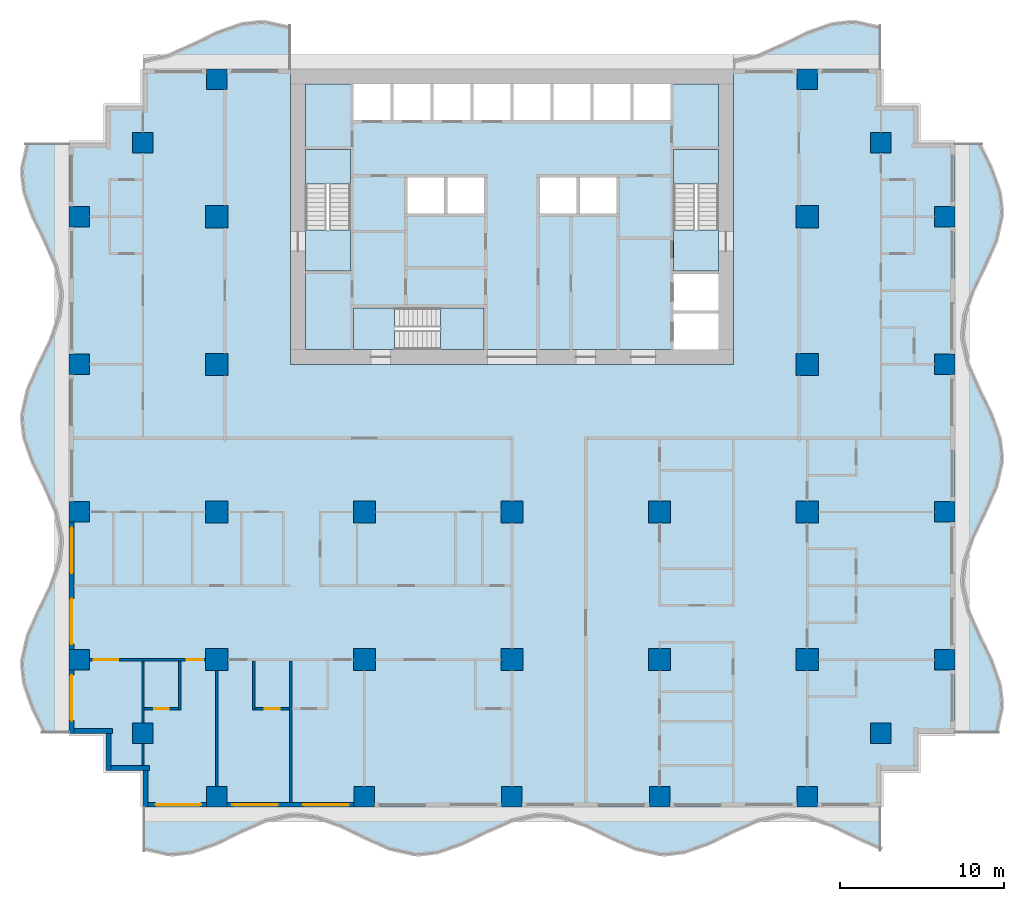
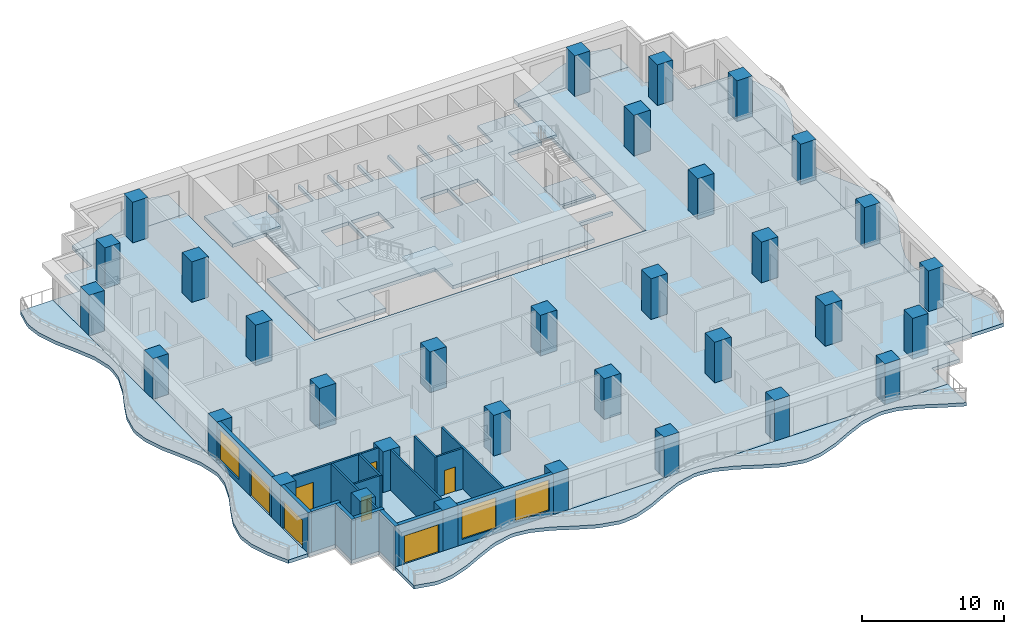
# One storey, part 1 of 14: 33 columns, 17 walls, 13 slabs, 7 doors, 3 windows, 10 openings, 3 elements without a shape of their own.
"""IFC4 building model written with IfcOpenShell, lengths in metres."""

from ifc_helpers import new_model, si_unit, direction, frame, frame_2d, origin, origin_2d, place, context, subcontext, project, spatial, polyline, rectangle, outline, extrude, material, layer, layer_set, material_profile, profile_set, type_object, element, fill, aggregate, save


model = new_model("IFC4")

# Units and contexts
model_context = context("Model", 3, precision=1e-05, world=origin(), true_north=direction((0.0, 1.0)))
body_context = subcontext(model_context, "Body", "Model", "MODEL_VIEW")
ifc_project = project(units=[si_unit("LENGTHUNIT", "METRE"), si_unit("AREAUNIT", "SQUARE_METRE"), si_unit("VOLUMEUNIT", "CUBIC_METRE"), si_unit("PLANEANGLEUNIT", "RADIAN"), si_unit("MASSUNIT", "GRAM", prefix="KILO")], contexts=[model_context])

# Site, building, storey
site_placement = place(None, origin())
site = spatial("IfcSite", under=ifc_project, at=site_placement, CompositionType="ELEMENT")
building_placement = place(site_placement, origin())
building = spatial("IfcBuilding", under=site, at=building_placement, Name="Orbiselva Terraces", CompositionType="ELEMENT")
storey_placement = place(building_placement, frame((0.0, 0.0, 111.2)))
storey = spatial("IfcBuildingStorey", under=building, at=storey_placement, Name="L28", CompositionType="ELEMENT", Elevation=111.2)

# Columns
ifc_material_1 = material(Name="Concrete C70/85", Category="concrete")
ifc_material_profile_1 = material_profile(ifc_material_1, rectangle(XDim=1.35, YDim=1.35, at=origin_2d()), Name="RC 1350x1350")
ifc_profile_set_1 = profile_set([ifc_material_profile_1], Name="Concrete C70/85")
column_type_1 = type_object("IfcColumnType", Name="COLUMN RC 1350x1350", PredefinedType="COLUMN", material=ifc_profile_set_1)
for number, where, z_axis, x_axis, name in (
    (1, (-18.0, -13.5, 0.0), (0.0, 0.0, 1.0), (1.0, 0.0, 0.0), "Column L28-01"),
    (2, (-18.0, -4.5, 0.0), (0.0, 0.0, 1.0), (1.0, 0.0, 0.0), "Column L28-03"),
    (3, (-18.0, 13.5, 0.0), (0.0, 0.0, 1.0), (1.0, 0.0, 0.0), "Column L28-04"),
    (4, (-18.0, 4.5, 0.0), (0.0, 0.0, 1.0), (1.0, 0.0, 0.0), "Column L28-06"),
    (5, (-9.0, -13.5, 0.0), (0.0, 0.0, 1.0), (1.0, 0.0, 0.0), "Column L28-13"),
    (6, (-9.0, -4.5, 0.0), (0.0, 0.0, 1.0), (1.0, 0.0, 0.0), "Column L28-15"),
    (7, (0.0, -13.5, 0.0), (0.0, 0.0, 1.0), (1.0, 0.0, 0.0), "Column L28-16"),
    (8, (0.0, -4.5, 0.0), (0.0, 0.0, 1.0), (1.0, 0.0, 0.0), "Column L28-18"),
    (9, (18.0, -13.5, 0.0), (0.0, 0.0, 1.0), (1.0, 0.0, 0.0), "Column L28-19"),
    (10, (18.0, -4.5, 0.0), (0.0, 0.0, 1.0), (1.0, 0.0, 0.0), "Column L28-21"),
    (11, (18.0, 13.5, 0.0), (0.0, 0.0, 1.0), (1.0, 0.0, 0.0), "Column L28-22"),
    (12, (18.0, 4.5, 0.0), (0.0, 0.0, 1.0), (1.0, 0.0, 0.0), "Column L28-24"),
    (13, (9.0, -13.5, 0.0), (0.0, 0.0, 1.0), (1.0, 0.0, 0.0), "Column L28-31"),
    (14, (9.0, -4.5, 0.0), (0.0, 0.0, 1.0), (1.0, 0.0, 0.0), "Column L28-33"),
):
    element("IfcColumn", number, at=place(storey_placement, frame(where, z_axis=z_axis, x_axis=x_axis)), inside=storey, type_object=column_type_1, Name=name, PredefinedType="COLUMN", context=body_context, shape_type="SweptSolid", body=[
        extrude(rectangle(XDim=1.35, YDim=1.35, at=origin_2d()), origin(), (0.0, 0.0, 1.0), 3.5),
    ])
ifc_material_2 = material(Name="Concrete C60/75", Category="concrete")
ifc_material_profile_2 = material_profile(ifc_material_2, rectangle(XDim=1.25, YDim=1.25, at=origin_2d()), Name="RC 1250x1250")
ifc_profile_set_2 = profile_set([ifc_material_profile_2], Name="Concrete C60/75")
column_type_2 = type_object("IfcColumnType", Name="PERIMETER COLUMN RC 1250x1250", PredefinedType="COLUMN", material=ifc_profile_set_2)
for number, where, z_axis, x_axis, name in (
    (15, (-18.0, -21.875, 0.0), (0.0, 0.0, 1.0), (1.0, 0.0, 0.0), "Column L28-02"),
    (16, (-18.0, 21.875, 0.0), (0.0, 0.0, 1.0), (1.0, 0.0, 0.0), "Column L28-05"),
    (17, (-26.375, -13.5, 0.0), (0.0, 0.0, 1.0), (1.0, 0.0, 0.0), "Column L28-07"),
    (18, (-22.5, -18.0, 0.0), (0.0, 0.0, 1.0), (1.0, 0.0, 0.0), "Column L28-08"),
    (19, (-26.375, -4.5, 0.0), (0.0, 0.0, 1.0), (1.0, 0.0, 0.0), "Column L28-09"),
    (20, (-26.375, 13.5, 0.0), (0.0, 0.0, 1.0), (1.0, 0.0, 0.0), "Column L28-10"),
    (21, (-22.5, 18.0, 0.0), (0.0, 0.0, 1.0), (1.0, 0.0, 0.0), "Column L28-11"),
    (22, (-26.375, 4.5, 0.0), (0.0, 0.0, 1.0), (1.0, 0.0, 0.0), "Column L28-12"),
    (23, (-9.0, -21.875, 0.0), (0.0, 0.0, 1.0), (1.0, 0.0, 0.0), "Column L28-14"),
    (24, (0.0, -21.875, 0.0), (0.0, 0.0, 1.0), (1.0, 0.0, 0.0), "Column L28-17"),
    (25, (18.0, -21.875, 0.0), (0.0, 0.0, 1.0), (1.0, 0.0, 0.0), "Column L28-20"),
    (26, (18.0, 21.875, 0.0), (0.0, 0.0, 1.0), (1.0, 0.0, 0.0), "Column L28-23"),
    (27, (26.375, -13.5, 0.0), (0.0, 0.0, 1.0), (1.0, 0.0, 0.0), "Column L28-25"),
    (28, (22.5, -18.0, 0.0), (0.0, 0.0, 1.0), (1.0, 0.0, 0.0), "Column L28-26"),
    (29, (26.375, -4.5, 0.0), (0.0, 0.0, 1.0), (1.0, 0.0, 0.0), "Column L28-27"),
    (30, (26.375, 13.5, 0.0), (0.0, 0.0, 1.0), (1.0, 0.0, 0.0), "Column L28-28"),
    (31, (22.5, 18.0, 0.0), (0.0, 0.0, 1.0), (1.0, 0.0, 0.0), "Column L28-29"),
    (32, (26.375, 4.5, 0.0), (0.0, 0.0, 1.0), (1.0, 0.0, 0.0), "Column L28-30"),
    (33, (9.0, -21.875, 0.0), (0.0, 0.0, 1.0), (1.0, 0.0, 0.0), "Column L28-32"),
):
    element("IfcColumn", number, at=place(storey_placement, frame(where, z_axis=z_axis, x_axis=x_axis)), inside=storey, type_object=column_type_2, Name=name, PredefinedType="COLUMN", context=body_context, shape_type="SweptSolid", body=[
        extrude(rectangle(XDim=1.25, YDim=1.25, at=origin_2d()), origin(), (0.0, 0.0, 1.0), 3.5),
    ])

# Slabs
ifc_material_3 = material(Name="Concrete C40/50", Category="concrete")
ifc_layer_1 = layer(ifc_material_3, 0.3)
ifc_layer_set_1 = layer_set([ifc_layer_1], Name="Concrete C40/50")
slab_type_1 = type_object("IfcSlabType", Name="CORE-SLAB-FLOOR-300", PredefinedType="FLOOR", material=ifc_layer_set_1)
slab_1_placement = place(storey_placement, frame((0.0, 0.0, -0.3)))
element("IfcSlab", 34, at=slab_1_placement, inside=storey, type_object=slab_type_1, Name="L28 S1 floor landing", PredefinedType="FLOOR", context=body_context, shape_type="SweptSolid", body=[
    extrude(outline(polyline([(-12.6, 12.7), (-9.85, 12.7), (-9.85, 10.2), (-12.6, 10.2), (-12.6, 12.7)])), origin(), (0.0, 0.0, 1.0), 0.3),
])
slab_2_placement = place(storey_placement, frame((0.0, 0.0, -0.3)))
element("IfcSlab", 35, at=slab_2_placement, inside=storey, type_object=slab_type_1, Name="L28 S2 floor landing", PredefinedType="FLOOR", context=body_context, shape_type="SweptSolid", body=[
    extrude(outline(polyline([(12.6, 12.7), (12.6, 10.2), (9.85, 10.2), (9.85, 12.7), (12.6, 12.7)])), origin(), (0.0, 0.0, 1.0), 0.3),
])
slab_3_placement = place(storey_placement, frame((0.0, 0.0, -0.3)))
element("IfcSlab", 36, at=slab_3_placement, inside=storey, type_object=slab_type_1, Name="L28 S3 floor landing", PredefinedType="FLOOR", context=body_context, shape_type="SweptSolid", body=[
    extrude(outline(polyline([(-7.15, 5.4), (-9.65, 5.4), (-9.65, 7.95), (-7.15, 7.95), (-7.15, 5.4)])), origin(), (0.0, 0.0, 1.0), 0.3),
])
slab_4_placement = place(storey_placement, frame((0.0, 0.0, -0.3)))
element("IfcSlab", 37, at=slab_4_placement, inside=storey, type_object=slab_type_1, Name="L28 core floor slab 1", PredefinedType="FLOOR", context=body_context, shape_type="SweptSolid", body=[
    extrude(outline(polyline([(-1.7, 5.4), (-1.7, 7.95), (-9.65, 7.95), (-9.65, 5.4), (-12.6, 5.4), (-12.6, 10.2), (-9.85, 10.2), (-9.85, 17.6), (-12.6, 17.6), (-12.6, 21.6), (-9.65, 21.6), (-9.65, 19.4), (-7.4125, 19.4), (-7.4125, 21.6), (-7.2125, 21.6), (-7.2125, 19.4), (-4.975, 19.4), (-4.975, 21.6), (-4.775, 21.6), (-4.775, 19.4), (-2.5375, 19.4), (-2.5375, 21.6), (-2.3375, 21.6), (-2.3375, 19.4), (-0.1, 19.4), (-0.1, 21.6), (0.1, 21.6), (0.1, 19.4), (2.3375, 19.4), (2.3375, 21.6), (2.5375, 21.6), (2.5375, 19.4), (4.775, 19.4), (4.775, 21.6), (4.975, 21.6), (4.975, 19.4), (7.2125, 19.4), (7.2125, 21.6), (7.4125, 21.6), (7.4125, 19.4), (9.65, 19.4), (9.65, 21.6), (12.6, 21.6), (12.6, 17.6), (9.85, 17.6), (9.85, 10.2), (12.6, 10.2), (12.6, 10.0), (9.85, 10.0), (9.85, 7.8), (12.6, 7.8), (12.6, 7.6), (9.85, 7.6), (9.85, 5.4), (-1.7, 5.4)]), holes=[polyline([(-4.1375, 13.7), (-4.1375, 15.9), (-6.375, 15.9), (-6.375, 13.7), (-4.1375, 13.7)]), polyline([(-1.7, 13.7), (-1.7, 15.9), (-3.9375, 15.9), (-3.9375, 13.7), (-1.7, 13.7)]), polyline([(3.9375, 13.7), (3.9375, 15.9), (1.7, 15.9), (1.7, 13.7), (3.9375, 13.7)]), polyline([(6.375, 13.7), (6.375, 15.9), (4.1375, 15.9), (4.1375, 13.7), (6.375, 13.7)])]), origin(), (0.0, 0.0, 1.0), 0.3),
])

# Stair, slab
stair_type_1 = type_object("IfcStairType", Name="CORE-STAIR-1300", PredefinedType="HALF_TURN_STAIR", material=ifc_material_3)
stair_1_placement = place(storey_placement, origin())
stair_1 = element("IfcStair", 38, at=stair_1_placement, inside=storey, type_object=stair_type_1, Name="L28 Exit Stair S1", PredefinedType="HALF_TURN_STAIR")
ifc_layer_2 = layer(ifc_material_3, 0.2)
ifc_layer_set_2 = layer_set([ifc_layer_2], Name="Concrete C40/50")
slab_type_2 = type_object("IfcSlabType", Name="CORE-STAIR-LANDING-200", PredefinedType="LANDING", material=ifc_layer_set_2)
slab_5_placement = place(storey_placement, frame((0.0, 0.0, 1.7)))
slab_5 = element("IfcSlab", 39, at=slab_5_placement, type_object=slab_type_2, Name="S1 landing 1", PredefinedType="LANDING", context=body_context, shape_type="SweptSolid", body=[
    extrude(outline(polyline([(-9.85, 15.5), (-9.85, 17.6), (-12.6, 17.6), (-12.6, 15.5), (-9.85, 15.5)])), origin(), (0.0, 0.0, 1.0), 0.2),
])
aggregate(stair_1, [slab_5])

stair_2_placement = place(storey_placement, origin())
stair_2 = element("IfcStair", 40, at=stair_2_placement, inside=storey, type_object=stair_type_1, Name="L28 Exit Stair S2", PredefinedType="HALF_TURN_STAIR")
slab_6_placement = place(storey_placement, frame((0.0, 0.0, 1.7)))
slab_6 = element("IfcSlab", 41, at=slab_6_placement, type_object=slab_type_2, Name="S2 landing 1", PredefinedType="LANDING", context=body_context, shape_type="SweptSolid", body=[
    extrude(outline(polyline([(12.6, 15.5), (12.6, 17.6), (9.85, 17.6), (9.85, 15.5), (12.6, 15.5)])), origin(), (0.0, 0.0, 1.0), 0.2),
])
aggregate(stair_2, [slab_6])

stair_type_2 = type_object("IfcStairType", Name="CORE-STAIR-1200", PredefinedType="HALF_TURN_STAIR", material=ifc_material_3)
stair_3_placement = place(storey_placement, origin())
stair_3 = element("IfcStair", 42, at=stair_3_placement, inside=storey, type_object=stair_type_2, Name="L28 Exit Stair S3", PredefinedType="HALF_TURN_STAIR")
slab_7_placement = place(storey_placement, frame((0.0, 0.0, 1.7)))
slab_7 = element("IfcSlab", 43, at=slab_7_placement, type_object=slab_type_2, Name="S3 landing 1", PredefinedType="LANDING", context=body_context, shape_type="SweptSolid", body=[
    extrude(outline(polyline([(-4.35, 5.4), (-1.7, 5.4), (-1.7, 7.95), (-4.35, 7.95), (-4.35, 5.4)])), origin(), (0.0, 0.0, 1.0), 0.2),
])
aggregate(stair_3, [slab_7])

# Slabs
ifc_material_4 = material(Name="Concrete C50/60", Category="concrete")
ifc_layer_3 = layer(ifc_material_4, 0.3)
ifc_layer_set_3 = layer_set([ifc_layer_3], Name="Concrete C50/60")
slab_type_3 = type_object("IfcSlabType", Name="ENV-BALCONY-SLAB-300", PredefinedType="FLOOR", material=ifc_layer_set_3)
slab_8_placement = place(storey_placement, frame((0.0, 0.0, -0.3)))
element("IfcSlab", 44, at=slab_8_placement, inside=storey, type_object=slab_type_3, Name="Balcony slab L28 S", PredefinedType="FLOOR", context=body_context, shape_type="SweptSolid", body=[
    extrude(outline(polyline([(-22.5, -25.148528), (-21.0, -25.485226), (-20.625, -25.5), (-19.5, -25.369208), (-18.0, -24.844789), (-16.5, -24.112279), (-15.0, -23.451472), (-13.5, -23.114774), (-13.125, -23.1), (-12.0, -23.230792), (-10.5, -23.755211), (-9.0, -24.487721), (-7.5, -25.148528), (-6.0, -25.485226), (-5.625, -25.5), (-4.5, -25.369208), (-3.0, -24.844789), (-1.5, -24.112279), (0.0, -23.451472), (1.5, -23.114774), (1.875, -23.1), (3.0, -23.230792), (4.5, -23.755211), (6.0, -24.487721), (7.5, -25.148528), (9.0, -25.485226), (9.375, -25.5), (10.5, -25.369208), (12.0, -24.844789), (13.5, -24.112279), (15.0, -23.451472), (16.5, -23.114774), (16.875, -23.1), (18.0, -23.230792), (19.5, -23.755211), (21.0, -24.487721), (22.5, -25.148528), (22.5, -22.5), (-22.5, -22.5), (-22.5, -25.148528)])), origin(), (0.0, 0.0, 1.0), 0.3),
])
slab_9_placement = place(storey_placement, frame((0.0, 0.0, -0.3)))
element("IfcSlab", 45, at=slab_9_placement, inside=storey, type_object=slab_type_3, Name="Balcony slab L28 E", PredefinedType="FLOOR", context=body_context, shape_type="SweptSolid", body=[
    extrude(outline(polyline([(29.648528, -18.0), (29.985226, -16.5), (30.0, -16.125), (29.869208, -15.0), (29.344789, -13.5), (28.612279, -12.0), (27.951472, -10.5), (27.614774, -9.0), (27.6, -8.625), (27.730792, -7.5), (28.255211, -6.0), (28.987721, -4.5), (29.648528, -3.0), (29.985226, -1.5), (30.0, -1.125), (29.869208, 0.0), (29.344789, 1.5), (28.612279, 3.0), (27.951472, 4.5), (27.614774, 6.0), (27.6, 6.375), (27.730792, 7.5), (28.255211, 9.0), (28.987721, 10.5), (29.648528, 12.0), (29.985226, 13.5), (30.0, 13.875), (29.869208, 15.0), (29.344789, 16.5), (28.612279, 18.0), (27.0, 18.0), (27.0, -18.0), (29.648528, -18.0)])), origin(), (0.0, 0.0, 1.0), 0.3),
])
slab_10_placement = place(storey_placement, frame((0.0, 0.0, -0.3)))
element("IfcSlab", 46, at=slab_10_placement, inside=storey, type_object=slab_type_3, Name="Balcony slab L28 NE", PredefinedType="FLOOR", context=body_context, shape_type="SweptSolid", body=[
    extrude(outline(polyline([(22.5, 25.148528), (21.0, 25.485226), (20.625, 25.5), (19.5, 25.369208), (18.0, 24.844789), (16.5, 24.112279), (15.0, 23.451472), (13.5, 23.114774), (13.5, 22.5), (22.5, 22.5), (22.5, 25.148528)])), origin(), (0.0, 0.0, 1.0), 0.3),
])
slab_11_placement = place(storey_placement, frame((0.0, 0.0, -0.3)))
element("IfcSlab", 47, at=slab_11_placement, inside=storey, type_object=slab_type_3, Name="Balcony slab L28 NW", PredefinedType="FLOOR", context=body_context, shape_type="SweptSolid", body=[
    extrude(outline(polyline([(-13.5, 25.148528), (-15.0, 25.485226), (-15.375, 25.5), (-16.5, 25.369208), (-18.0, 24.844789), (-19.5, 24.112279), (-21.0, 23.451472), (-22.5, 23.114774), (-22.5, 22.5), (-13.5, 22.5), (-13.5, 25.148528)])), origin(), (0.0, 0.0, 1.0), 0.3),
])
slab_12_placement = place(storey_placement, frame((0.0, 0.0, -0.3)))
element("IfcSlab", 48, at=slab_12_placement, inside=storey, type_object=slab_type_3, Name="Balcony slab L28 W", PredefinedType="FLOOR", context=body_context, shape_type="SweptSolid", body=[
    extrude(outline(polyline([(-29.648528, 18.0), (-29.985226, 16.5), (-30.0, 16.125), (-29.869208, 15.0), (-29.344789, 13.5), (-28.612279, 12.0), (-27.951472, 10.5), (-27.614774, 9.0), (-27.6, 8.625), (-27.730792, 7.5), (-28.255211, 6.0), (-28.987721, 4.5), (-29.648528, 3.0), (-29.985226, 1.5), (-30.0, 1.125), (-29.869208, 0.0), (-29.344789, -1.5), (-28.612279, -3.0), (-27.951472, -4.5), (-27.614774, -6.0), (-27.6, -6.375), (-27.730792, -7.5), (-28.255211, -9.0), (-28.987721, -10.5), (-29.648528, -12.0), (-29.985226, -13.5), (-30.0, -13.875), (-29.869208, -15.0), (-29.344789, -16.5), (-28.612279, -18.0), (-27.0, -18.0), (-27.0, 18.0), (-29.648528, 18.0)])), origin(), (0.0, 0.0, 1.0), 0.3),
])
ifc_layer_4 = layer(ifc_material_4, 0.3)
ifc_layer_set_4 = layer_set([ifc_layer_4], Name="Concrete C50/60")
slab_type_4 = type_object("IfcSlabType", Name="FLOOR SLAB 300", PredefinedType="FLOOR", material=ifc_layer_set_4)
slab_13_placement = place(storey_placement, frame((0.0, 0.0, -0.3)))
element("IfcSlab", 49, at=slab_13_placement, inside=storey, type_object=slab_type_4, Name="Floor slab L28", PredefinedType="FLOOR", context=body_context, shape_type="SweptSolid", body=[
    extrude(outline(polyline([(22.5, 22.5), (22.5, 20.25), (24.75, 20.25), (24.75, 18.0), (27.0, 18.0), (27.0, -18.0), (24.75, -18.0), (24.75, -20.25), (22.5, -20.25), (22.5, -22.5), (-22.5, -22.5), (-22.5, -20.25), (-24.75, -20.25), (-24.75, -18.0), (-27.0, -18.0), (-27.0, 18.0), (-24.75, 18.0), (-24.75, 20.25), (-22.5, 20.25), (-22.5, 22.5), (-13.5, 22.5), (-13.5, 4.5), (13.5, 4.5), (13.5, 22.5), (22.5, 22.5)])), origin(), (0.0, 0.0, 1.0), 0.3),
])

# Wall, opening, door
ifc_material_5 = material(Name="Terracotta cladding on masonry backing", Category="masonry")
ifc_layer_5 = layer(ifc_material_5, 0.3)
ifc_layer_set_5 = layer_set([ifc_layer_5], Name="Terracotta cladding on masonry backing")
wall_type_1 = type_object("IfcWallType", Name="ENV-WALL-TERRACOTTA-300", PredefinedType="SOLIDWALL", material=ifc_layer_set_5)
wall_1_placement = place(storey_placement, frame((-18.625, -22.35, 0.0), z_axis=(0.0, 0.0, 1.0), x_axis=(-1.0, 0.0, 0.0)))
wall_1 = element("IfcWall", 50, at=wall_1_placement, inside=storey, type_object=wall_type_1, Name="Facade wall L28 S", PredefinedType="SOLIDWALL", context=body_context, shape_type="SweptSolid", body=[
    extrude(rectangle(XDim=3.575, YDim=0.3, at=frame_2d((1.7875, 0.0))), origin(), (0.0, 0.0, 1.0), 3.5),
])
opening_1_placement = place(wall_1_placement, frame((0.325, 0.0, 0.0)))
opening_1 = element("IfcOpeningElement", 51, at=opening_1_placement, cuts=wall_1, Name="Opening Z2-D-E13", PredefinedType="OPENING", context=body_context, shape_type="SweptSolid", body=[
    extrude(rectangle(XDim=2.775, YDim=2.4, at=frame_2d((1.3875, 1.2))), frame((0.0, 0.16, 0.0), z_axis=(0.0, -1.0, 0.0), x_axis=(1.0, 0.0, 0.0)), (0.0, 0.0, 1.0), 0.32),
])
ifc_material_6 = material(Name="Clear low-e glazing in aluminium frame", Category="aluminium")
door_type_1 = type_object("IfcDoorType", Name="BALCONY DOOR 2775 X 2400", OperationType="DOUBLE_DOOR_SLIDING", PredefinedType="DOOR", material=ifc_material_6)
door_1_placement = place(opening_1_placement, origin())
door_1 = element("IfcDoor", 52, at=door_1_placement, inside=storey, type_object=door_type_1, Name="Z2-D-E13", OperationType="SINGLE_SWING_LEFT", OverallHeight=2.4, OverallWidth=2.775, PredefinedType="DOOR", context=body_context, shape_type="SweptSolid", body=[
    extrude(rectangle(XDim=2.775, YDim=2.4, at=frame_2d((1.3875, 1.2))), frame((0.0, 0.025, 0.0), z_axis=(0.0, -1.0, 0.0), x_axis=(1.0, 0.0, 0.0)), (0.0, 0.0, 1.0), 0.05),
])
fill(opening_1, door_1)

# Wall, openings, windows
wall_2_placement = place(storey_placement, frame((-9.625, -22.35, 0.0), z_axis=(0.0, 0.0, 1.0), x_axis=(-1.0, 0.0, 0.0)))
wall_2 = element("IfcWall", 53, at=wall_2_placement, inside=storey, type_object=wall_type_1, Name="Facade wall L28 S", PredefinedType="SOLIDWALL", context=body_context, shape_type="SweptSolid", body=[
    extrude(rectangle(XDim=7.75, YDim=0.3, at=frame_2d((3.875, 0.0))), origin(), (0.0, 0.0, 1.0), 3.5),
])
opening_2_placement = place(wall_2_placement, frame((4.65, 0.0, 0.45)))
opening_2 = element("IfcOpeningElement", 54, at=opening_2_placement, cuts=wall_2, Name="Opening WN6", PredefinedType="OPENING", context=body_context, shape_type="SweptSolid", body=[
    extrude(rectangle(XDim=2.775, YDim=2.65, at=frame_2d((1.3875, 1.325))), frame((0.0, 0.16, 0.0), z_axis=(0.0, -1.0, 0.0), x_axis=(1.0, 0.0, 0.0)), (0.0, 0.0, 1.0), 0.32),
])
opening_3_placement = place(wall_2_placement, frame((0.325, 0.0, 0.45)))
opening_3 = element("IfcOpeningElement", 55, at=opening_3_placement, cuts=wall_2, Name="Opening WN6", PredefinedType="OPENING", context=body_context, shape_type="SweptSolid", body=[
    extrude(rectangle(XDim=2.775, YDim=2.65, at=frame_2d((1.3875, 1.325))), frame((0.0, 0.16, 0.0), z_axis=(0.0, -1.0, 0.0), x_axis=(1.0, 0.0, 0.0)), (0.0, 0.0, 1.0), 0.32),
])
window_type = type_object("IfcWindowType", Name="WINDOW 2775 X 2650 S450", PartitioningType="TRIPLE_PANEL_VERTICAL", PredefinedType="WINDOW", material=ifc_material_6)
window_1_placement = place(opening_2_placement, origin())
window_1 = element("IfcWindow", 56, at=window_1_placement, inside=storey, type_object=window_type, Name="Window L28 S", OverallHeight=2.65, OverallWidth=2.775, PartitioningType="SINGLE_PANEL", PredefinedType="WINDOW", context=body_context, shape_type="SweptSolid", body=[
    extrude(rectangle(XDim=2.775, YDim=2.65, at=frame_2d((1.3875, 1.325))), frame((0.0, 0.03, 0.0), z_axis=(0.0, -1.0, 0.0), x_axis=(1.0, 0.0, 0.0)), (0.0, 0.0, 1.0), 0.06),
])
fill(opening_2, window_1)
window_2_placement = place(opening_3_placement, origin())
window_2 = element("IfcWindow", 57, at=window_2_placement, inside=storey, type_object=window_type, Name="Window L28 S", OverallHeight=2.65, OverallWidth=2.775, PartitioningType="SINGLE_PANEL", PredefinedType="WINDOW", context=body_context, shape_type="SweptSolid", body=[
    extrude(rectangle(XDim=2.775, YDim=2.65, at=frame_2d((1.3875, 1.325))), frame((0.0, 0.03, 0.0), z_axis=(0.0, -1.0, 0.0), x_axis=(1.0, 0.0, 0.0)), (0.0, 0.0, 1.0), 0.06),
])
fill(opening_3, window_2)

# Wall, openings, door, window
wall_3_placement = place(storey_placement, frame((-26.85, -12.875, 0.0), z_axis=(0.0, 0.0, 1.0), x_axis=(0.0, 1.0, 0.0)))
wall_3 = element("IfcWall", 58, at=wall_3_placement, inside=storey, type_object=wall_type_1, Name="Facade wall L28 W", PredefinedType="SOLIDWALL", context=body_context, shape_type="SweptSolid", body=[
    extrude(rectangle(XDim=7.75, YDim=0.3, at=frame_2d((3.875, 0.0))), origin(), (0.0, 0.0, 1.0), 3.5),
])
opening_4_placement = place(wall_3_placement, frame((4.65, 0.0, 0.45)))
opening_4 = element("IfcOpeningElement", 59, at=opening_4_placement, cuts=wall_3, Name="Opening WN6", PredefinedType="OPENING", context=body_context, shape_type="SweptSolid", body=[
    extrude(rectangle(XDim=2.775, YDim=2.65, at=frame_2d((1.3875, 1.325))), frame((0.0, 0.16, 0.0), z_axis=(0.0, -1.0, 0.0), x_axis=(1.0, 0.0, 0.0)), (0.0, 0.0, 1.0), 0.32),
])
opening_5_placement = place(wall_3_placement, frame((0.325, 0.0, 0.0)))
opening_5 = element("IfcOpeningElement", 60, at=opening_5_placement, cuts=wall_3, Name="Opening Z2-D-E23", PredefinedType="OPENING", context=body_context, shape_type="SweptSolid", body=[
    extrude(rectangle(XDim=2.775, YDim=2.4, at=frame_2d((1.3875, 1.2))), frame((0.0, 0.16, 0.0), z_axis=(0.0, -1.0, 0.0), x_axis=(1.0, 0.0, 0.0)), (0.0, 0.0, 1.0), 0.32),
])
door_2_placement = place(opening_5_placement, origin())
door_2 = element("IfcDoor", 61, at=door_2_placement, inside=storey, type_object=door_type_1, Name="Z2-D-E23", OperationType="SINGLE_SWING_LEFT", OverallHeight=2.4, OverallWidth=2.775, PredefinedType="DOOR", context=body_context, shape_type="SweptSolid", body=[
    extrude(rectangle(XDim=2.775, YDim=2.4, at=frame_2d((1.3875, 1.2))), frame((0.0, 0.025, 0.0), z_axis=(0.0, -1.0, 0.0), x_axis=(1.0, 0.0, 0.0)), (0.0, 0.0, 1.0), 0.05),
])
fill(opening_5, door_2)
window_3_placement = place(opening_4_placement, origin())
window_3 = element("IfcWindow", 62, at=window_3_placement, inside=storey, type_object=window_type, Name="Window L28 W", OverallHeight=2.65, OverallWidth=2.775, PartitioningType="SINGLE_PANEL", PredefinedType="WINDOW", context=body_context, shape_type="SweptSolid", body=[
    extrude(rectangle(XDim=2.775, YDim=2.65, at=frame_2d((1.3875, 1.325))), frame((0.0, 0.03, 0.0), z_axis=(0.0, -1.0, 0.0), x_axis=(1.0, 0.0, 0.0)), (0.0, 0.0, 1.0), 0.06),
])
fill(opening_4, window_3)

# Wall, opening, door
wall_4_placement = place(storey_placement, frame((-26.85, -18.0, 0.0), z_axis=(0.0, 0.0, 1.0), x_axis=(0.0, 1.0, 0.0)))
wall_4 = element("IfcWall", 63, at=wall_4_placement, inside=storey, type_object=wall_type_1, Name="Facade wall L28 W", PredefinedType="SOLIDWALL", context=body_context, shape_type="SweptSolid", body=[
    extrude(rectangle(XDim=3.875, YDim=0.3, at=frame_2d((1.9375, 0.0))), origin(), (0.0, 0.0, 1.0), 3.5),
])
opening_6_placement = place(wall_4_placement, frame((0.775, 0.0, 0.0)))
opening_6 = element("IfcOpeningElement", 64, at=opening_6_placement, cuts=wall_4, Name="Opening Z2-D-E12", PredefinedType="OPENING", context=body_context, shape_type="SweptSolid", body=[
    extrude(rectangle(XDim=2.775, YDim=2.4, at=frame_2d((1.3875, 1.2))), frame((0.0, 0.16, 0.0), z_axis=(0.0, -1.0, 0.0), x_axis=(1.0, 0.0, 0.0)), (0.0, 0.0, 1.0), 0.32),
])
door_3_placement = place(opening_6_placement, origin())
door_3 = element("IfcDoor", 65, at=door_3_placement, inside=storey, type_object=door_type_1, Name="Z2-D-E12", OperationType="SINGLE_SWING_LEFT", OverallHeight=2.4, OverallWidth=2.775, PredefinedType="DOOR", context=body_context, shape_type="SweptSolid", body=[
    extrude(rectangle(XDim=2.775, YDim=2.4, at=frame_2d((1.3875, 1.2))), frame((0.0, 0.025, 0.0), z_axis=(0.0, -1.0, 0.0), x_axis=(1.0, 0.0, 0.0)), (0.0, 0.0, 1.0), 0.05),
])
fill(opening_6, door_3)

# Walls
wall_5_placement = place(storey_placement, frame((-24.35, -17.85, 0.0), z_axis=(0.0, 0.0, 1.0), x_axis=(-1.0, 0.0, 0.0)))
element("IfcWall", 66, at=wall_5_placement, inside=storey, type_object=wall_type_1, Name="Facade wall L28 STEP", PredefinedType="SOLIDWALL", context=body_context, shape_type="SweptSolid", body=[
    extrude(rectangle(XDim=2.35, YDim=0.3, at=frame_2d((1.175, 0.0))), origin(), (0.0, 0.0, 1.0), 3.5),
])
wall_6_placement = place(storey_placement, frame((-24.6, -20.25, 0.0), z_axis=(0.0, 0.0, 1.0), x_axis=(0.0, 1.0, 0.0)))
element("IfcWall", 67, at=wall_6_placement, inside=storey, type_object=wall_type_1, Name="Facade wall L28 STEP", PredefinedType="SOLIDWALL", context=body_context, shape_type="SweptSolid", body=[
    extrude(rectangle(XDim=2.25, YDim=0.3, at=frame_2d((1.125, 0.0))), origin(), (0.0, 0.0, 1.0), 3.5),
])
wall_7_placement = place(storey_placement, frame((-22.1, -20.1, 0.0), z_axis=(0.0, 0.0, 1.0), x_axis=(-1.0, 0.0, 0.0)))
element("IfcWall", 68, at=wall_7_placement, inside=storey, type_object=wall_type_1, Name="Facade wall L28 STEP", PredefinedType="SOLIDWALL", context=body_context, shape_type="SweptSolid", body=[
    extrude(rectangle(XDim=2.35, YDim=0.3, at=frame_2d((1.175, 0.0))), origin(), (0.0, 0.0, 1.0), 3.5),
])
wall_8_placement = place(storey_placement, frame((-22.35, -22.5, 0.0), z_axis=(0.0, 0.0, 1.0), x_axis=(0.0, 1.0, 0.0)))
element("IfcWall", 69, at=wall_8_placement, inside=storey, type_object=wall_type_1, Name="Facade wall L28 STEP", PredefinedType="SOLIDWALL", context=body_context, shape_type="SweptSolid", body=[
    extrude(rectangle(XDim=2.25, YDim=0.3, at=frame_2d((1.125, 0.0))), origin(), (0.0, 0.0, 1.0), 3.5),
])

# Wall, opening, door
ifc_material_7 = material(Name="Plasterboard on steel stud partition", Category="steel")
ifc_layer_6 = layer(ifc_material_7, 0.15)
ifc_layer_set_6 = layer_set([ifc_layer_6], Name="Plasterboard on steel stud partition")
wall_type_2 = type_object("IfcWallType", Name="UNIT-PARTITION-150", PredefinedType="PARTITIONING", material=ifc_layer_set_6)
wall_9_placement = place(storey_placement, frame((-22.425, -16.5, 0.0), z_axis=(0.0, 0.0, 1.0), x_axis=(1.0, 0.0, 0.0)))
wall_9 = element("IfcWall", 70, at=wall_9_placement, inside=storey, type_object=wall_type_2, Name="PARTITION L28-003", PredefinedType="PARTITIONING", context=body_context, shape_type="SweptSolid", body=[
    extrude(rectangle(XDim=2.1, YDim=0.15, at=frame_2d((1.05, 0.0))), origin(), (0.0, 0.0, 1.0), 3.5),
])
opening_7_placement = place(wall_9_placement, frame((0.6, 0.0, 0.0)))
opening_7 = element("IfcOpeningElement", 71, at=opening_7_placement, cuts=wall_9, Name="Opening Z2-D-32", PredefinedType="OPENING", context=body_context, shape_type="SweptSolid", body=[
    extrude(rectangle(XDim=0.9, YDim=2.1, at=frame_2d((0.45, 1.05))), frame((0.0, 0.085, 0.0), z_axis=(0.0, -1.0, 0.0), x_axis=(1.0, 0.0, 0.0)), (0.0, 0.0, 1.0), 0.17),
])
ifc_material_8 = material(Name="Painted timber door leaf", Category="wood")
door_type_2 = type_object("IfcDoorType", Name="BATH DOOR 900", OperationType="NOTDEFINED", PredefinedType="DOOR", material=ifc_material_8)
door_4_placement = place(opening_7_placement, origin())
door_4 = element("IfcDoor", 72, at=door_4_placement, inside=storey, type_object=door_type_2, Name="Z2-D-32", OperationType="SINGLE_SWING_LEFT", OverallHeight=2.1, OverallWidth=0.9, PredefinedType="DOOR", context=body_context, shape_type="SweptSolid", body=[
    extrude(rectangle(XDim=0.9, YDim=2.1, at=frame_2d((0.45, 1.05))), frame((0.0, 0.025, 0.0), z_axis=(0.0, -1.0, 0.0), x_axis=(1.0, 0.0, 0.0)), (0.0, 0.0, 1.0), 0.05),
])
fill(opening_7, door_4)

wall_10_placement = place(storey_placement, frame((-15.675, -16.5, 0.0), z_axis=(0.0, 0.0, 1.0), x_axis=(1.0, 0.0, 0.0)))
wall_10 = element("IfcWall", 73, at=wall_10_placement, inside=storey, type_object=wall_type_2, Name="PARTITION L28-004", PredefinedType="PARTITIONING", context=body_context, shape_type="SweptSolid", body=[
    extrude(rectangle(XDim=2.1, YDim=0.15, at=frame_2d((1.05, 0.0))), origin(), (0.0, 0.0, 1.0), 3.5),
])
opening_8_placement = place(wall_10_placement, frame((0.6, 0.0, 0.0)))
opening_8 = element("IfcOpeningElement", 74, at=opening_8_placement, cuts=wall_10, Name="Opening Z2-D-30", PredefinedType="OPENING", context=body_context, shape_type="SweptSolid", body=[
    extrude(rectangle(XDim=0.9, YDim=2.1, at=frame_2d((0.45, 1.05))), frame((0.0, 0.085, 0.0), z_axis=(0.0, -1.0, 0.0), x_axis=(1.0, 0.0, 0.0)), (0.0, 0.0, 1.0), 0.17),
])
door_5_placement = place(opening_8_placement, origin())
door_5 = element("IfcDoor", 75, at=door_5_placement, inside=storey, type_object=door_type_2, Name="Z2-D-30", OperationType="SINGLE_SWING_LEFT", OverallHeight=2.1, OverallWidth=0.9, PredefinedType="DOOR", context=body_context, shape_type="SweptSolid", body=[
    extrude(rectangle(XDim=0.9, YDim=2.1, at=frame_2d((0.45, 1.05))), frame((0.0, 0.025, 0.0), z_axis=(0.0, -1.0, 0.0), x_axis=(1.0, 0.0, 0.0)), (0.0, 0.0, 1.0), 0.05),
])
fill(opening_8, door_5)

# Wall, openings, doors
wall_11_placement = place(storey_placement, frame((-18.675, -13.5, 0.0), z_axis=(0.0, 0.0, 1.0), x_axis=(-1.0, 0.0, 0.0)))
wall_11 = element("IfcWall", 76, at=wall_11_placement, inside=storey, type_object=wall_type_2, Name="PARTITION L28-009", PredefinedType="PARTITIONING", context=body_context, shape_type="SweptSolid", body=[
    extrude(rectangle(XDim=7.075, YDim=0.15, at=frame_2d((3.5375, 0.0))), origin(), (0.0, 0.0, 1.0), 3.5),
])
opening_9_placement = place(wall_11_placement, frame((0.15, 0.0, 0.0)))
opening_9 = element("IfcOpeningElement", 77, at=opening_9_placement, cuts=wall_11, Name="Opening Z2-D-31", PredefinedType="OPENING", context=body_context, shape_type="SweptSolid", body=[
    extrude(rectangle(XDim=1.0, YDim=2.4, at=frame_2d((0.5, 1.2))), frame((0.0, 0.085, 0.0), z_axis=(0.0, -1.0, 0.0), x_axis=(1.0, 0.0, 0.0)), (0.0, 0.0, 1.0), 0.17),
])
opening_10_placement = place(wall_11_placement, frame((5.325, 0.0, 0.0)))
opening_10 = element("IfcOpeningElement", 78, at=opening_10_placement, cuts=wall_11, Name="Opening Z2-D-33", PredefinedType="OPENING", context=body_context, shape_type="SweptSolid", body=[
    extrude(rectangle(XDim=1.5, YDim=2.4, at=frame_2d((0.75, 1.2))), frame((0.0, 0.085, 0.0), z_axis=(0.0, -1.0, 0.0), x_axis=(1.0, 0.0, 0.0)), (0.0, 0.0, 1.0), 0.17),
])
door_type_3 = type_object("IfcDoorType", Name="DOUBLE DOOR 1500", OperationType="NOTDEFINED", PredefinedType="DOOR", material=ifc_material_8)
door_6_placement = place(opening_10_placement, origin())
door_6 = element("IfcDoor", 79, at=door_6_placement, inside=storey, type_object=door_type_3, Name="Z2-D-33", OperationType="DOUBLE_DOOR_SINGLE_SWING", OverallHeight=2.4, OverallWidth=1.5, PredefinedType="DOOR", context=body_context, shape_type="SweptSolid", body=[
    extrude(rectangle(XDim=1.5, YDim=2.4, at=frame_2d((0.75, 1.2))), frame((0.0, 0.025, 0.0), z_axis=(0.0, -1.0, 0.0), x_axis=(1.0, 0.0, 0.0)), (0.0, 0.0, 1.0), 0.05),
])
fill(opening_10, door_6)
door_type_4 = type_object("IfcDoorType", Name="ROOM DOOR 1000", OperationType="NOTDEFINED", PredefinedType="DOOR", material=ifc_material_8)
door_7_placement = place(opening_9_placement, origin())
door_7 = element("IfcDoor", 80, at=door_7_placement, inside=storey, type_object=door_type_4, Name="Z2-D-31", OperationType="SINGLE_SWING_LEFT", OverallHeight=2.4, OverallWidth=1.0, PredefinedType="DOOR", context=body_context, shape_type="SweptSolid", body=[
    extrude(rectangle(XDim=1.0, YDim=2.4, at=frame_2d((0.5, 1.2))), frame((0.0, 0.025, 0.0), z_axis=(0.0, -1.0, 0.0), x_axis=(1.0, 0.0, 0.0)), (0.0, 0.0, 1.0), 0.05),
])
fill(opening_9, door_7)

# Walls
wall_12_placement = place(storey_placement, frame((-22.5, -19.95, 0.0), z_axis=(0.0, 0.0, 1.0), x_axis=(0.0, 1.0, 0.0)))
element("IfcWall", 81, at=wall_12_placement, inside=storey, type_object=wall_type_2, Name="PARTITION L28-047", PredefinedType="PARTITIONING", context=body_context, shape_type="SweptSolid", body=[
    extrude(rectangle(XDim=1.325, YDim=0.15, at=frame_2d((0.6625, 0.0))), origin(), (0.0, 0.0, 1.0), 3.5),
])
wall_13_placement = place(storey_placement, frame((-22.5, -17.375, 0.0), z_axis=(0.0, 0.0, 1.0), x_axis=(0.0, 1.0, 0.0)))
element("IfcWall", 82, at=wall_13_placement, inside=storey, type_object=wall_type_2, Name="PARTITION L28-048", PredefinedType="PARTITIONING", context=body_context, shape_type="SweptSolid", body=[
    extrude(rectangle(XDim=3.8, YDim=0.15, at=frame_2d((1.9, 0.0))), origin(), (0.0, 0.0, 1.0), 3.5),
])
wall_14_placement = place(storey_placement, frame((-20.25, -16.575, 0.0), z_axis=(0.0, 0.0, 1.0), x_axis=(0.0, 1.0, 0.0)))
element("IfcWall", 83, at=wall_14_placement, inside=storey, type_object=wall_type_2, Name="PARTITION L28-052", PredefinedType="PARTITIONING", context=body_context, shape_type="SweptSolid", body=[
    extrude(rectangle(XDim=3.0, YDim=0.15, at=frame_2d((1.5, 0.0))), origin(), (0.0, 0.0, 1.0), 3.5),
])
wall_15_placement = place(storey_placement, frame((-18.0, -21.25, 0.0), z_axis=(0.0, 0.0, 1.0), x_axis=(0.0, 1.0, 0.0)))
element("IfcWall", 84, at=wall_15_placement, inside=storey, type_object=wall_type_2, Name="PARTITION L28-054", PredefinedType="PARTITIONING", context=body_context, shape_type="SweptSolid", body=[
    extrude(rectangle(XDim=7.075, YDim=0.15, at=frame_2d((3.5375, 0.0))), origin(), (0.0, 0.0, 1.0), 3.5),
])
wall_16_placement = place(storey_placement, frame((-15.75, -16.575, 0.0), z_axis=(0.0, 0.0, 1.0), x_axis=(0.0, 1.0, 0.0)))
element("IfcWall", 85, at=wall_16_placement, inside=storey, type_object=wall_type_2, Name="PARTITION L28-059", PredefinedType="PARTITIONING", context=body_context, shape_type="SweptSolid", body=[
    extrude(rectangle(XDim=3.0, YDim=0.15, at=frame_2d((1.5, 0.0))), origin(), (0.0, 0.0, 1.0), 3.5),
])
wall_17_placement = place(storey_placement, frame((-13.5, -22.2, 0.0), z_axis=(0.0, 0.0, 1.0), x_axis=(0.0, 1.0, 0.0)))
element("IfcWall", 86, at=wall_17_placement, inside=storey, type_object=wall_type_2, Name="PARTITION L28-061", PredefinedType="PARTITIONING", context=body_context, shape_type="SweptSolid", body=[
    extrude(rectangle(XDim=8.625, YDim=0.15, at=frame_2d((4.3125, 0.0))), origin(), (0.0, 0.0, 1.0), 3.5),
])

save(model, "model.ifc")
